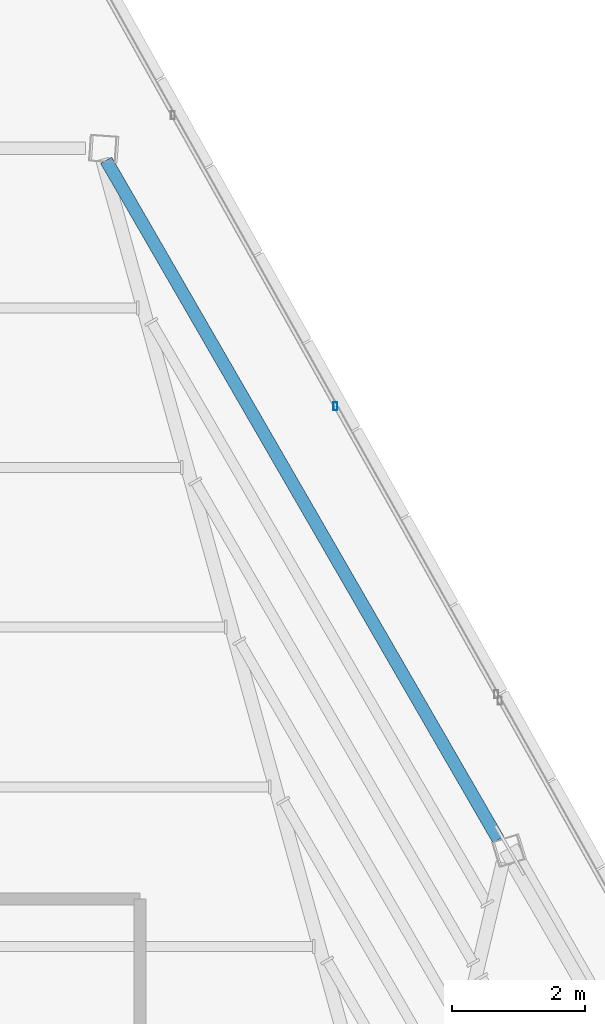
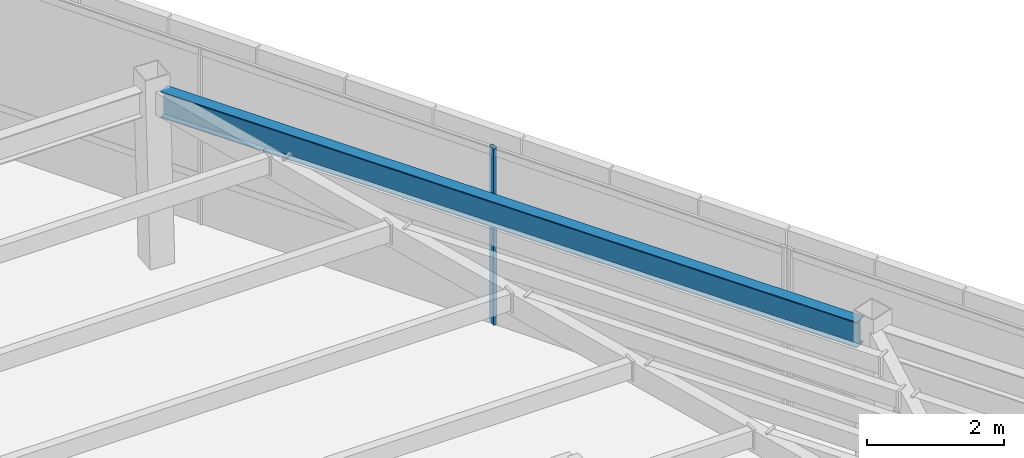
# One storey, part 35 of 47: 1 beam, 1 member, 1 element without a shape of its own.
"""IFC4 building model written with IfcOpenShell, lengths in metres."""

from ifc_helpers import new_model, si_unit, direction, frame, origin, origin_2d, place, context, subcontext, project, spatial, hollow_rectangle, i_section, extrude, source, transform, mapped, material, material_profile, profile_set, type_object, type_shapes, element, aggregate, save


model = new_model("IFC4")

# Units and contexts
model_context = context("Model", 3, precision=1e-05, world=origin(), true_north=direction((0.0, 1.0)))
body_context = subcontext(model_context, "Body", "Model", "MODEL_VIEW")
ifc_project = project(units=[si_unit("LENGTHUNIT", "METRE"), si_unit("AREAUNIT", "SQUARE_METRE"), si_unit("VOLUMEUNIT", "CUBIC_METRE"), si_unit("PLANEANGLEUNIT", "RADIAN"), si_unit("MASSUNIT", "GRAM", prefix="KILO")], contexts=[model_context])

# Site, building, storey
site_placement = place(None, origin())
site = spatial("IfcSite", under=ifc_project, at=site_placement, CompositionType="ELEMENT")
building_placement = place(site_placement, origin())
building = spatial("IfcBuilding", under=site, at=building_placement, Name="Caelisora Broadcast Tower", CompositionType="ELEMENT")
storey_placement = place(building_placement, frame((0.0, 0.0, 293.199951171875)))
storey = spatial("IfcBuildingStorey", under=building, at=storey_placement, Name="L77", CompositionType="ELEMENT", Elevation=293.199951171875)

# Beam
ifc_material_1 = material(Name="Steel Grade 350 (AS/NZS 3679.1)", Category="steel")
ifc_material_profile_1 = material_profile(ifc_material_1, i_section(OverallWidth=0.19091796875, OverallDepth=0.46044921875, WebThickness=0.010009765625, FlangeThickness=0.01611328125, at=origin_2d()), Name="Steel Grade 350 (AS/NZS 3679.1)")
ifc_profile_set_1 = profile_set([ifc_material_profile_1], Name="Steel Grade 350 (AS/NZS 3679.1)")
beam_type = type_object("IfcBeamType", Name="PG06", PredefinedType="BEAM", material=ifc_profile_set_1)
shared_shape_1 = source(origin(), body_context, "Body", "SweptSolid", [
    extrude(i_section(OverallWidth=0.19091796875, OverallDepth=0.46044921875, WebThickness=0.010009765625, FlangeThickness=0.01611328125, at=origin_2d()), origin(), (0.0, 0.0, 1.0), 11.754150390625),
])
type_shapes(beam_type, [shared_shape_1])
beam_placement = place(storey_placement, frame((46.86669921875, 36.3857421875, 2.919921875), z_axis=(-0.499990349827, 0.866030975243, 0.0), x_axis=(-0.866030975243, -0.499990349827, 0.0)))
element("IfcBeam", 1, at=beam_placement, inside=storey, type_object=beam_type, Name="L77 beam PG06", PredefinedType="BEAM", context=body_context, shape_type="MappedRepresentation", body=[
    mapped(shared_shape_1, transform((0.0, 0.0, 0.0), scale=1.0)),
])

# Curtain wall, member
ifc_material_2 = material(Name="Unitised Aluminium Insulated Shadow-Box Spandrel Curtain Wall", Category="aluminium")
curtain_wall_type = type_object("IfcCurtainWallType", Name="CW-SP3", PredefinedType="NOTDEFINED", material=ifc_material_2)
curtain_wall_placement = place(storey_placement, origin())
curtain_wall = element("IfcCurtainWall", 2, at=curtain_wall_placement, inside=storey, type_object=curtain_wall_type, Name="L77 curtain wall CW-SP3", PredefinedType="NOTDEFINED")
ifc_material_3 = material(Name="Aluminium 6063-T6 Anodised Terracotta Bronze", Category="aluminium")
ifc_material_profile_2 = material_profile(ifc_material_3, hollow_rectangle(XDim=0.06005859375, YDim=0.1201171875, WallThickness=0.0029296875, at=origin_2d()), Name="Aluminium 6063-T6 Anodised Terracotta Bronze")
ifc_profile_set_2 = profile_set([ifc_material_profile_2], Name="Aluminium 6063-T6 Anodised Terracotta Bronze")
member_type = type_object("IfcMemberType", Name="CWM-04", PredefinedType="MULLION", material=ifc_profile_set_2)
shared_shape_2 = source(origin(), body_context, "Body", "SweptSolid", [
    extrude(hollow_rectangle(XDim=0.06005859375, YDim=0.1201171875, WallThickness=0.0029296875, at=origin_2d()), origin(), (0.0, 0.0, 1.0), 3.150146484375),
])
type_shapes(member_type, [shared_shape_2])
member_placement = place(storey_placement, frame((44.424560546875, 42.880126953125, 0.0), z_axis=(0.0, 0.0, 1.0), x_axis=(1.0, 0.0, 0.0)))
member = element("IfcMember", 3, at=member_placement, type_object=member_type, Name="L77-CW-B01 mullion #2", PredefinedType="MULLION", context=body_context, shape_type="MappedRepresentation", body=[
    mapped(shared_shape_2, transform((0.0, 0.0, 0.0), scale=1.0)),
])
aggregate(curtain_wall, [member])

save(model, "model.ifc")
